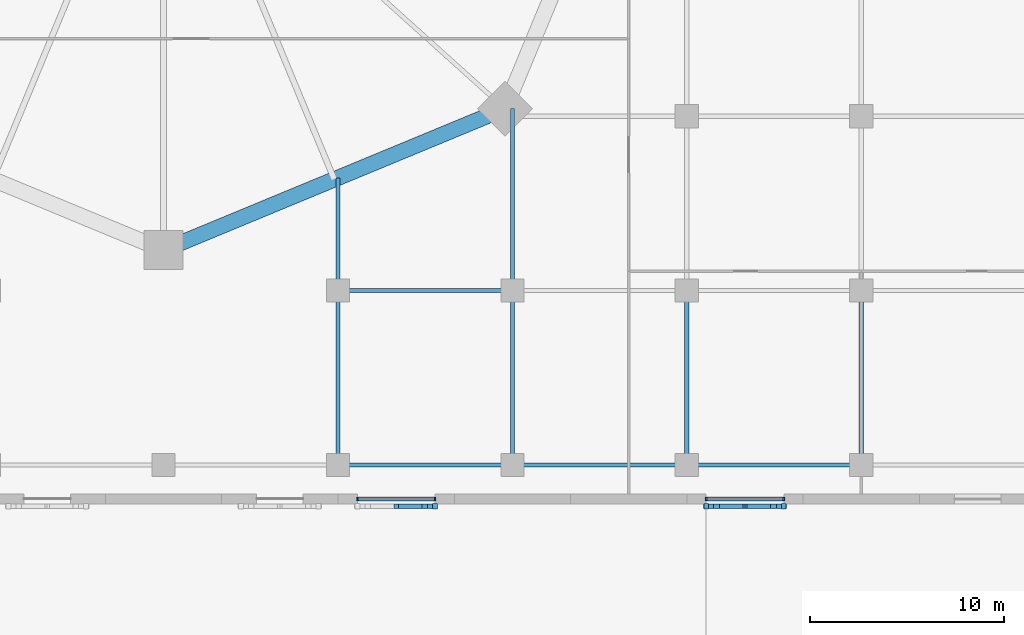
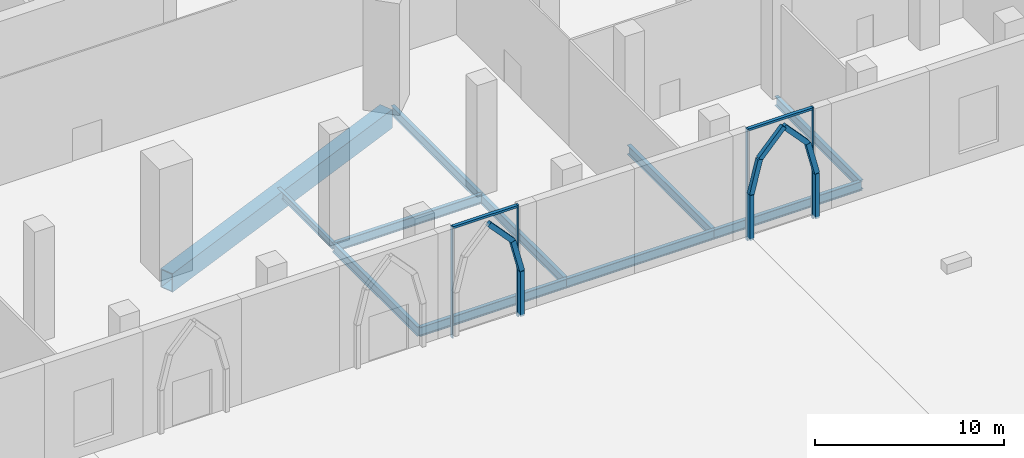
# One storey, part 4 of 48: 15 members, 11 beams, 2 elements without a shape of their own.
"""IFC4 building model written with IfcOpenShell, lengths in metres."""

from ifc_helpers import new_model, si_unit, direction, frame, origin, origin_2d, place, context, subcontext, project, spatial, rectangle, hollow_rectangle, i_section, extrude, material, material_profile, profile_set, type_object, element, aggregate, save


model = new_model("IFC4")

# Units and contexts
model_context = context("Model", 3, precision=1e-05, world=origin(), true_north=direction((0.0, 1.0)))
body_context = subcontext(model_context, "Body", "Model", "MODEL_VIEW")
ifc_project = project(units=[si_unit("LENGTHUNIT", "METRE"), si_unit("AREAUNIT", "SQUARE_METRE"), si_unit("VOLUMEUNIT", "CUBIC_METRE"), si_unit("PLANEANGLEUNIT", "RADIAN"), si_unit("MASSUNIT", "GRAM", prefix="KILO")], contexts=[model_context])

# Site, building, storey
site_placement = place(None, origin())
site = spatial("IfcSite", under=ifc_project, at=site_placement, CompositionType="ELEMENT")
building_placement = place(site_placement, origin())
building = spatial("IfcBuilding", under=site, at=building_placement, Name="Ogive Gate Towers", CompositionType="ELEMENT")
storey_placement = place(building_placement, origin())
storey = spatial("IfcBuildingStorey", under=building, at=storey_placement, Name="L00", CompositionType="ELEMENT", Elevation=0.0)

# Members
ifc_material_1 = material(Name="Precast concrete C40/50", Category="concrete")
ifc_material_profile_1 = material_profile(ifc_material_1, rectangle(XDim=0.25, YDim=0.300048828125, at=origin_2d()), Name="250 x 300 cast stone")
ifc_profile_set_1 = profile_set([ifc_material_profile_1], Name="Precast concrete C40/50")
member_type_1 = type_object("IfcMemberType", Name="Arch rib 250 x 300", PredefinedType="USERDEFINED", material=ifc_profile_set_1)
member_1_placement = place(storey_placement, frame((-22.0, -38.125, 0.0), z_axis=(0.0, 0.0, 1.0), x_axis=(1.0, 0.0, 0.0)))
element("IfcMember", 1, at=member_1_placement, inside=storey, type_object=member_type_1, Name="Arcade arch rib", ObjectType="ARCH RIB", PredefinedType="USERDEFINED", context=body_context, shape_type="SweptSolid", body=[
    extrude(rectangle(XDim=0.25, YDim=0.300048828125, at=origin_2d()), origin(), (0.0, 0.0, 1.0), 2.89990234375),
])
for number, where, z_axis, x_axis, name in (
    (2, (-22.0, -38.125, 2.89990234375), (-0.245931792163, 0.0, 0.969287136819), (0.0, -1.0, 0.0), "Arcade arch rib"),
    (3, (-22.5322265625, -38.125, 4.99755859375), (-0.678223875113, 0.0, 0.734855343062), (0.0, -1.0, 0.0), "Arcade arch rib"),
):
    element("IfcMember", number, at=place(storey_placement, frame(where, z_axis=z_axis, x_axis=x_axis)), inside=storey, type_object=member_type_1, Name=name, ObjectType="ARCH RIB", PredefinedType="USERDEFINED", context=body_context, shape_type="SweptSolid", body=[
        extrude(rectangle(XDim=0.25, YDim=0.300048828125, at=origin_2d()), origin(), (0.0, 0.0, 1.0), 2.1640625),
    ])
member_2_placement = place(storey_placement, frame((-8.0, -38.125, 0.0), z_axis=(0.0, 0.0, 1.0), x_axis=(1.0, 0.0, 0.0)))
element("IfcMember", 4, at=member_2_placement, inside=storey, type_object=member_type_1, Name="Arcade arch rib", ObjectType="ARCH RIB", PredefinedType="USERDEFINED", context=body_context, shape_type="SweptSolid", body=[
    extrude(rectangle(XDim=0.25, YDim=0.300048828125, at=origin_2d()), origin(), (0.0, 0.0, 1.0), 2.89990234375),
])
for number, where, z_axis, x_axis, name in (
    (5, (-8.0, -38.125, 2.89990234375), (0.245931792163, 0.0, 0.969287136819), (0.0, 1.0, 0.0), "Arcade arch rib"),
    (6, (-7.4677734375, -38.125, 4.99755859375), (0.678223875113, 0.0, 0.734855343062), (0.0, 1.0, 0.0), "Arcade arch rib"),
):
    element("IfcMember", number, at=place(storey_placement, frame(where, z_axis=z_axis, x_axis=x_axis)), inside=storey, type_object=member_type_1, Name=name, ObjectType="ARCH RIB", PredefinedType="USERDEFINED", context=body_context, shape_type="SweptSolid", body=[
        extrude(rectangle(XDim=0.25, YDim=0.300048828125, at=origin_2d()), origin(), (0.0, 0.0, 1.0), 2.1640625),
    ])
member_3_placement = place(storey_placement, frame((-4.0, -38.125, 0.0), z_axis=(0.0, 0.0, 1.0), x_axis=(1.0, 0.0, 0.0)))
element("IfcMember", 7, at=member_3_placement, inside=storey, type_object=member_type_1, Name="Arcade arch rib", ObjectType="ARCH RIB", PredefinedType="USERDEFINED", context=body_context, shape_type="SweptSolid", body=[
    extrude(rectangle(XDim=0.25, YDim=0.300048828125, at=origin_2d()), origin(), (0.0, 0.0, 1.0), 2.89990234375),
])
for number, where, z_axis, x_axis, name in (
    (8, (-4.0, -38.125, 2.89990234375), (-0.245931792163, 0.0, 0.969287136819), (0.0, -1.0, 0.0), "Arcade arch rib"),
    (9, (-4.5322265625, -38.125, 4.99755859375), (-0.678223875113, 0.0, 0.734855343062), (0.0, -1.0, 0.0), "Arcade arch rib"),
):
    element("IfcMember", number, at=place(storey_placement, frame(where, z_axis=z_axis, x_axis=x_axis)), inside=storey, type_object=member_type_1, Name=name, ObjectType="ARCH RIB", PredefinedType="USERDEFINED", context=body_context, shape_type="SweptSolid", body=[
        extrude(rectangle(XDim=0.25, YDim=0.300048828125, at=origin_2d()), origin(), (0.0, 0.0, 1.0), 2.1640625),
    ])

# Beams
ifc_material_2 = material(Name="Steel SM460", Category="steel")
ifc_material_profile_2 = material_profile(ifc_material_2, hollow_rectangle(XDim=0.800048828125, YDim=1.199951171875, WallThickness=0.050048828125, at=origin_2d()), Name="BX 1200x800x50")
ifc_profile_set_2 = profile_set([ifc_material_profile_2], Name="Steel SM460")
beam_type_1 = type_object("IfcBeamType", Name="Edge girder BX 1200x800x50", PredefinedType="BEAM", material=ifc_profile_set_2)
beam_1_placement = place(storey_placement, frame((-36.0, -24.909912109375, -0.89990234375), z_axis=(0.923880736283, 0.382680526191, 0.0), x_axis=(-0.382680526191, 0.923880736283, 0.0)))
element("IfcBeam", 10, at=beam_1_placement, inside=storey, type_object=beam_type_1, Name="T1/L00/SBM018", PredefinedType="BEAM", context=body_context, shape_type="SweptSolid", body=[
    extrude(hollow_rectangle(XDim=0.800048828125, YDim=1.199951171875, WallThickness=0.050048828125, at=origin_2d()), origin(), (0.0, 0.0, 1.0), 19.065185546875),
])
ifc_material_3 = material(Name="Steel SM355", Category="steel")
ifc_material_profile_3 = material_profile(ifc_material_3, i_section(OverallWidth=0.18994140625, OverallDepth=0.449951171875, WebThickness=0.009521484375, FlangeThickness=0.0146484375, FilletRadius=0.02099609375, at=origin_2d()), Name="IPE 450")
ifc_profile_set_3 = profile_set([ifc_material_profile_3], Name="Steel SM355")
beam_type_2 = type_object("IfcBeamType", Name="Floor beam IPE 450", PredefinedType="BEAM", material=ifc_profile_set_3)
beam_2_placement = place(storey_placement, frame((-27.0, -27.0, -0.52490234375), z_axis=(0.0, 1.0, 0.0), x_axis=(-1.0, 0.0, 0.0)))
element("IfcBeam", 11, at=beam_2_placement, inside=storey, type_object=beam_type_2, Name="PD/L00/SBM157", PredefinedType="BEAM", context=body_context, shape_type="SweptSolid", body=[
    extrude(i_section(OverallWidth=0.18994140625, OverallDepth=0.449951171875, WebThickness=0.009521484375, FlangeThickness=0.0146484375, FilletRadius=0.02099609375, at=origin_2d()), origin(), (0.0, 0.0, 1.0), 5.81787109375),
])
ifc_material_profile_4 = material_profile(ifc_material_3, i_section(OverallWidth=0.219970703125, OverallDepth=0.60009765625, WebThickness=0.011962890625, FlangeThickness=0.01904296875, FilletRadius=0.02392578125, at=origin_2d()), Name="IPE 600")
ifc_profile_set_4 = profile_set([ifc_material_profile_4], Name="Steel SM355")
beam_type_3 = type_object("IfcBeamType", Name="Floor beam IPE 600", PredefinedType="BEAM", material=ifc_profile_set_4)
for number, where, z_axis, x_axis, name in (
    (12, (-27.0, -36.0, -0.60009765625), (0.0, 1.0, 0.0), (-1.0, 0.0, 0.0), "PD/L00/SBM021"),
    (13, (-18.0, -36.0, -0.60009765625), (0.0, 1.0, 0.0), (-1.0, 0.0, 0.0), "PD/L00/SBM023"),
):
    element("IfcBeam", number, at=place(storey_placement, frame(where, z_axis=z_axis, x_axis=x_axis)), inside=storey, type_object=beam_type_3, Name=name, PredefinedType="BEAM", context=body_context, shape_type="SweptSolid", body=[
        extrude(i_section(OverallWidth=0.219970703125, OverallDepth=0.60009765625, WebThickness=0.011962890625, FlangeThickness=0.01904296875, FilletRadius=0.02392578125, at=origin_2d()), origin(), (0.0, 0.0, 1.0), 9.0),
    ])
beam_3_placement = place(storey_placement, frame((-18.0, -27.0, -0.60009765625), z_axis=(0.0, 1.0, 0.0), x_axis=(-1.0, 0.0, 0.0)))
element("IfcBeam", 14, at=beam_3_placement, inside=storey, type_object=beam_type_3, Name="PD/L00/SBM024", PredefinedType="BEAM", context=body_context, shape_type="SweptSolid", body=[
    extrude(i_section(OverallWidth=0.219970703125, OverallDepth=0.60009765625, WebThickness=0.011962890625, FlangeThickness=0.01904296875, FilletRadius=0.02392578125, at=origin_2d()), origin(), (0.0, 0.0, 1.0), 9.385986328125),
])
for number, where, z_axis, x_axis, name in (
    (15, (-9.0, -36.0, -0.60009765625), (0.0, 1.0, 0.0), (-1.0, 0.0, 0.0), "PD/L00/SBM027"),
    (16, (0.0, -36.0, -0.60009765625), (0.0, 1.0, 0.0), (-1.0, 0.0, 0.0), "PD/L00/SBM033"),
    (17, (-27.0, -36.0, -0.60009765625), (1.0, 0.0, 0.0), (0.0, 1.0, 0.0), "PD/L00/SBM078"),
    (18, (-18.0, -36.0, -0.60009765625), (1.0, 0.0, 0.0), (0.0, 1.0, 0.0), "PD/L00/SBM079"),
    (19, (-9.0, -36.0, -0.60009765625), (1.0, 0.0, 0.0), (0.0, 1.0, 0.0), "PD/L00/SBM080"),
    (20, (-27.0, -27.0, -0.60009765625), (1.0, 0.0, 0.0), (0.0, 1.0, 0.0), "PD/L00/SBM092"),
):
    element("IfcBeam", number, at=place(storey_placement, frame(where, z_axis=z_axis, x_axis=x_axis)), inside=storey, type_object=beam_type_3, Name=name, PredefinedType="BEAM", context=body_context, shape_type="SweptSolid", body=[
        extrude(i_section(OverallWidth=0.219970703125, OverallDepth=0.60009765625, WebThickness=0.011962890625, FlangeThickness=0.01904296875, FilletRadius=0.02392578125, at=origin_2d()), origin(), (0.0, 0.0, 1.0), 9.0),
    ])

# Curtain wall, members
ifc_material_4 = material(Name="Pale metal aluminium", Category="aluminium")
curtain_wall_type = type_object("IfcCurtainWallType", Name="Podium glazing", PredefinedType="NOTDEFINED", material=ifc_material_4)
curtain_wall_1_placement = place(storey_placement, origin())
curtain_wall_1 = element("IfcCurtainWall", 21, at=curtain_wall_1_placement, inside=storey, type_object=curtain_wall_type, Name="CW6 PD ECW10", PredefinedType="NOTDEFINED")
ifc_material_profile_5 = material_profile(ifc_material_4, rectangle(XDim=0.199951171875, YDim=0.080078125, at=origin_2d()), Name="80 x 200 aluminium box")
ifc_profile_set_5 = profile_set([ifc_material_profile_5], Name="Pale metal aluminium")
member_type_2 = type_object("IfcMemberType", Name="Podium glazing mullion 80 x 200", PredefinedType="MULLION", material=ifc_profile_set_5)
member_4_placement = place(storey_placement, frame((-26.0, -37.75, -0.300048828125), z_axis=(0.0, 0.0, 1.0), x_axis=(0.0, -1.0, 0.0)))
member_4 = element("IfcMember", 22, at=member_4_placement, type_object=member_type_2, Name="CW6 mullion", PredefinedType="MULLION", context=body_context, shape_type="SweptSolid", body=[
    extrude(rectangle(XDim=0.199951171875, YDim=0.080078125, at=origin_2d()), origin(), (0.0, 0.0, 1.0), 7.199951171875),
])
member_5_placement = place(storey_placement, frame((-22.0, -37.75, -0.300048828125), z_axis=(0.0, 0.0, 1.0), x_axis=(0.0, -1.0, 0.0)))
member_5 = element("IfcMember", 23, at=member_5_placement, type_object=member_type_2, Name="CW6 mullion", PredefinedType="MULLION", context=body_context, shape_type="SweptSolid", body=[
    extrude(rectangle(XDim=0.199951171875, YDim=0.080078125, at=origin_2d()), origin(), (0.0, 0.0, 1.0), 7.199951171875),
])

curtain_wall_2_placement = place(storey_placement, origin())
curtain_wall_2 = element("IfcCurtainWall", 24, at=curtain_wall_2_placement, inside=storey, type_object=curtain_wall_type, Name="CW6 PD ECW11", PredefinedType="NOTDEFINED")
member_6_placement = place(storey_placement, frame((-8.0, -37.75, -0.300048828125), z_axis=(0.0, 0.0, 1.0), x_axis=(0.0, -1.0, 0.0)))
member_6 = element("IfcMember", 25, at=member_6_placement, type_object=member_type_2, Name="CW6 mullion", PredefinedType="MULLION", context=body_context, shape_type="SweptSolid", body=[
    extrude(rectangle(XDim=0.199951171875, YDim=0.080078125, at=origin_2d()), origin(), (0.0, 0.0, 1.0), 7.199951171875),
])
member_7_placement = place(storey_placement, frame((-4.0, -37.75, -0.300048828125), z_axis=(0.0, 0.0, 1.0), x_axis=(0.0, -1.0, 0.0)))
member_7 = element("IfcMember", 26, at=member_7_placement, type_object=member_type_2, Name="CW6 mullion", PredefinedType="MULLION", context=body_context, shape_type="SweptSolid", body=[
    extrude(rectangle(XDim=0.199951171875, YDim=0.080078125, at=origin_2d()), origin(), (0.0, 0.0, 1.0), 7.199951171875),
])

# Member
ifc_material_profile_6 = material_profile(ifc_material_4, rectangle(XDim=0.199951171875, YDim=0.139892578125, at=origin_2d()), Name="140 x 200 aluminium box")
ifc_profile_set_6 = profile_set([ifc_material_profile_6], Name="Pale metal aluminium")
member_type_3 = type_object("IfcMemberType", Name="Podium glazing transom 140 x 200", PredefinedType="USERDEFINED", material=ifc_profile_set_6)
member_8_placement = place(storey_placement, frame((-25.9599609375, -37.75, 6.830078125), z_axis=(1.0, 0.0, 0.0), x_axis=(0.0, 1.0, 0.0)))
member_8 = element("IfcMember", 27, at=member_8_placement, type_object=member_type_3, Name="CW6 transom", ObjectType="TRANSOM", PredefinedType="USERDEFINED", context=body_context, shape_type="SweptSolid", body=[
    extrude(rectangle(XDim=0.199951171875, YDim=0.139892578125, at=origin_2d()), origin(), (0.0, 0.0, 1.0), 3.919921875),
])

aggregate(curtain_wall_1, [member_4, member_5, member_8])

member_9_placement = place(storey_placement, frame((-7.9599609375, -37.75, 6.830078125), z_axis=(1.0, 0.0, 0.0), x_axis=(0.0, 1.0, 0.0)))
member_9 = element("IfcMember", 28, at=member_9_placement, type_object=member_type_3, Name="CW6 transom", ObjectType="TRANSOM", PredefinedType="USERDEFINED", context=body_context, shape_type="SweptSolid", body=[
    extrude(rectangle(XDim=0.199951171875, YDim=0.139892578125, at=origin_2d()), origin(), (0.0, 0.0, 1.0), 3.919921875),
])

aggregate(curtain_wall_2, [member_6, member_7, member_9])

save(model, "model.ifc")
